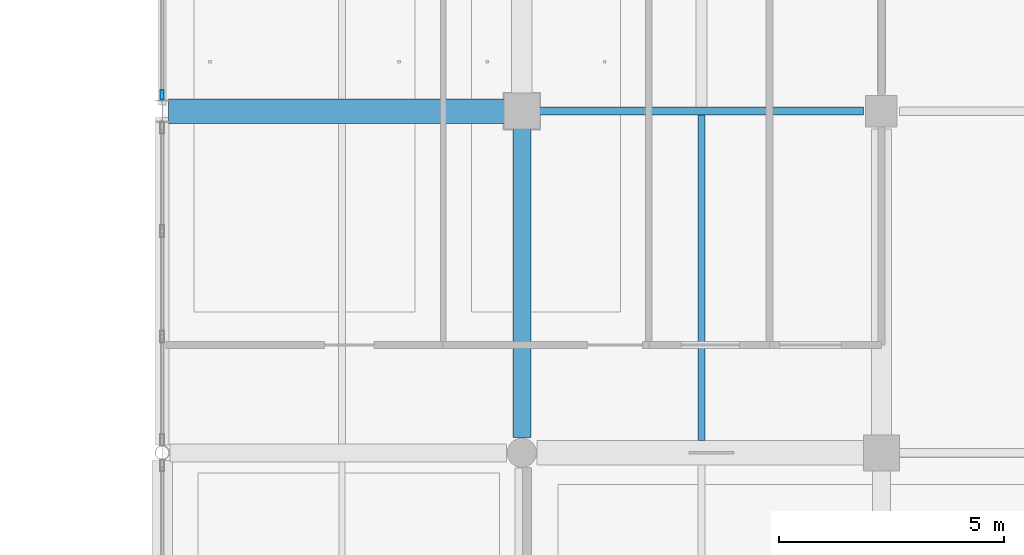
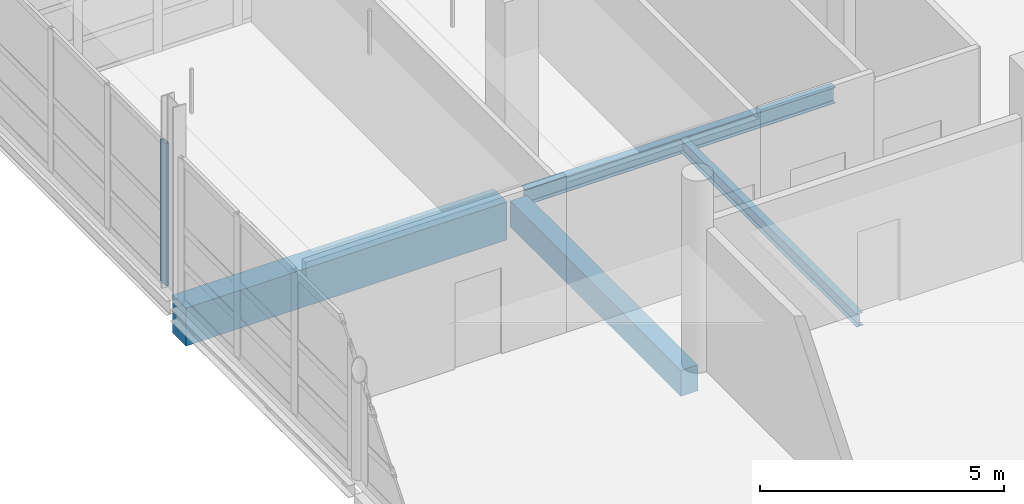
# One storey, part 49 of 141: 4 beams, 1 member, 1 element without a shape of its own.
"""IFC4 building model written with IfcOpenShell, lengths in metres."""

from ifc_helpers import new_model, si_unit, direction, frame, origin, origin_2d, place, context, subcontext, project, spatial, rectangle, hollow_rectangle, i_section, extrude, material, material_profile, profile_set, type_object, element, aggregate, save


model = new_model("IFC4")

# Units and contexts
model_context = context("Model", 3, precision=1e-05, world=origin(), true_north=direction((0.0, 1.0)))
body_context = subcontext(model_context, "Body", "Model", "MODEL_VIEW")
ifc_project = project(units=[si_unit("LENGTHUNIT", "METRE"), si_unit("AREAUNIT", "SQUARE_METRE"), si_unit("VOLUMEUNIT", "CUBIC_METRE"), si_unit("PLANEANGLEUNIT", "RADIAN"), si_unit("MASSUNIT", "GRAM", prefix="KILO")], contexts=[model_context])

# Site, building, storey
site_placement = place(None, origin())
site = spatial("IfcSite", under=ifc_project, at=site_placement, CompositionType="ELEMENT")
building_placement = place(site_placement, origin())
building = spatial("IfcBuilding", under=site, at=building_placement, Name="Khelvaren Railside Concert Hall", CompositionType="ELEMENT")
storey_placement = place(building_placement, frame((0.0, 0.0, 10.199951171875)))
storey = spatial("IfcBuildingStorey", under=building, at=storey_placement, Name="L02", CompositionType="ELEMENT", Elevation=10.199951171875)

# Beams
ifc_material_1 = material(Name="Steel S355", Category="steel")
ifc_material_profile_1 = material_profile(ifc_material_1, i_section(OverallWidth=0.179931640625, OverallDepth=0.39990234375, WebThickness=0.008544921875, FlangeThickness=0.013427734375, FilletRadius=0.02099609375, at=origin_2d()), Name="IPE 400")
ifc_profile_set_1 = profile_set([ifc_material_profile_1], Name="Steel S355")
beam_type_1 = type_object("IfcBeamType", Name="BM29", PredefinedType="BEAM", material=ifc_profile_set_1)
beam_1_placement = place(storey_placement, frame((152.27294921875, 30.39990234375, -0.489990234375), z_axis=(1.0, 0.0, 0.0), x_axis=(0.0, 1.0, 0.0)))
element("IfcBeam", 1, at=beam_1_placement, inside=storey, type_object=beam_type_1, Name="V2 L02 Beam X5.2", PredefinedType="BEAM", context=body_context, shape_type="SweptSolid", body=[
    extrude(i_section(OverallWidth=0.179931640625, OverallDepth=0.39990234375, WebThickness=0.008544921875, FlangeThickness=0.013427734375, FilletRadius=0.02099609375, at=origin_2d()), origin(), (0.0, 0.0, 1.0), 7.3271484375),
])
ifc_material_2 = material(Name="Concrete C40/50", Category="concrete")
ifc_material_profile_2 = material_profile(ifc_material_2, rectangle(XDim=0.39990234375, YDim=0.64990234375, at=origin_2d()), Name="RCB 400x650")
ifc_profile_set_2 = profile_set([ifc_material_profile_2], Name="Concrete C40/50")
beam_type_2 = type_object("IfcBeamType", Name="BM33", PredefinedType="BEAM", material=ifc_profile_set_2)
beam_2_placement = place(storey_placement, frame((152.0, 23.135986328125, -0.614990234375), z_axis=(0.0, 1.0, 0.0), x_axis=(-1.0, 0.0, 0.0)))
element("IfcBeam", 2, at=beam_2_placement, inside=storey, type_object=beam_type_2, Name="V2 L02 Beam Y2.4", PredefinedType="BEAM", context=body_context, shape_type="SweptSolid", body=[
    extrude(rectangle(XDim=0.39990234375, YDim=0.64990234375, at=origin_2d()), origin(), (0.0, 0.0, 1.0), 6.990966796875),
])

# Curtain wall, member
ifc_material_3 = material(Name="Triple-glazed solar-control glass", Category="glass")
curtain_wall_type = type_object("IfcCurtainWallType", Name="CW88", PredefinedType="USERDEFINED", material=ifc_material_3)
curtain_wall_placement = place(storey_placement, origin())
curtain_wall = element("IfcCurtainWall", 3, at=curtain_wall_placement, inside=storey, type_object=curtain_wall_type, Name="Unitised Curtain Wall CW-V2-L02-W-30", ObjectType="UNITISED CURTAIN WALL", PredefinedType="USERDEFINED")
ifc_material_4 = material(Name="Anodised architectural aluminium 6063-T6", Category="aluminium")
ifc_material_profile_3 = material_profile(ifc_material_4, hollow_rectangle(XDim=0.074951171875, YDim=0.219970703125, WallThickness=0.0048828125, InnerFilletRadius=0.0029296875, OuterFilletRadius=0.0048828125, at=origin_2d()), Name="CWM 75x220x5")
ifc_profile_set_3 = profile_set([ifc_material_profile_3], Name="Anodised architectural aluminium 6063-T6")
member_type = type_object("IfcMemberType", Name="CWM13", PredefinedType="MULLION", material=ifc_profile_set_3)
member_placement = place(storey_placement, frame((144.0, 30.760009765625, 0.0), z_axis=(0.0, 0.0, 1.0), x_axis=(-1.0, 0.0, 0.0)))
member = element("IfcMember", 4, at=member_placement, type_object=member_type, Name="CW88 mullion 1", PredefinedType="MULLION", context=body_context, shape_type="SweptSolid", body=[
    extrude(hollow_rectangle(XDim=0.074951171875, YDim=0.219970703125, WallThickness=0.0048828125, InnerFilletRadius=0.0029296875, OuterFilletRadius=0.0048828125, at=origin_2d()), origin(), (0.0, 0.0, 1.0), 3.56005859375),
])
aggregate(curtain_wall, [member])

# Beams
ifc_material_profile_4 = material_profile(ifc_material_2, rectangle(XDim=0.550048828125, YDim=0.949951171875, at=origin_2d()), Name="RCB 550x950")
ifc_profile_set_4 = profile_set([ifc_material_profile_4], Name="Concrete C40/50")
beam_type_3 = type_object("IfcBeamType", Name="GR57", PredefinedType="T_BEAM", material=ifc_profile_set_4)
beam_3_placement = place(storey_placement, frame((144.135986328125, 30.39990234375, -0.764892578125), z_axis=(1.0, 0.0, 0.0), x_axis=(0.0, 1.0, 0.0)))
element("IfcBeam", 5, at=beam_3_placement, inside=storey, type_object=beam_type_3, Name="V2 L02 T_Beam X5.1", PredefinedType="T_BEAM", context=body_context, shape_type="SweptSolid", body=[
    extrude(rectangle(XDim=0.550048828125, YDim=0.949951171875, at=origin_2d()), origin(), (0.0, 0.0, 1.0), 7.591064453125),
])
ifc_material_profile_5 = material_profile(ifc_material_1, i_section(OverallWidth=0.159912109375, OverallDepth=0.330078125, WebThickness=0.007568359375, FlangeThickness=0.011474609375, FilletRadius=0.01806640625, at=origin_2d()), Name="IPE 330")
ifc_profile_set_5 = profile_set([ifc_material_profile_5], Name="Steel S355")
beam_type_4 = type_object("IfcBeamType", Name="JS65", PredefinedType="JOIST", material=ifc_profile_set_5)
beam_4_placement = place(storey_placement, frame((156.0, 23.074951171875, -0.454833984375), z_axis=(0.0, 1.0, 0.0), x_axis=(-1.0, 0.0, 0.0)))
element("IfcBeam", 6, at=beam_4_placement, inside=storey, type_object=beam_type_4, Name="V2 L02 Secondary Joist 2.4", PredefinedType="JOIST", context=body_context, shape_type="SweptSolid", body=[
    extrude(i_section(OverallWidth=0.159912109375, OverallDepth=0.330078125, WebThickness=0.007568359375, FlangeThickness=0.011474609375, FilletRadius=0.01806640625, at=origin_2d()), origin(), (0.0, 0.0, 1.0), 7.235107421875),
])

save(model, "model.ifc")
